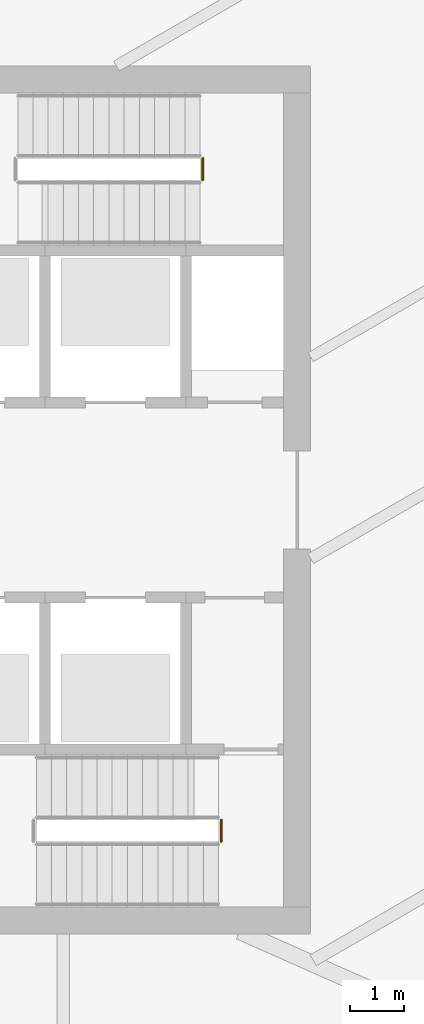
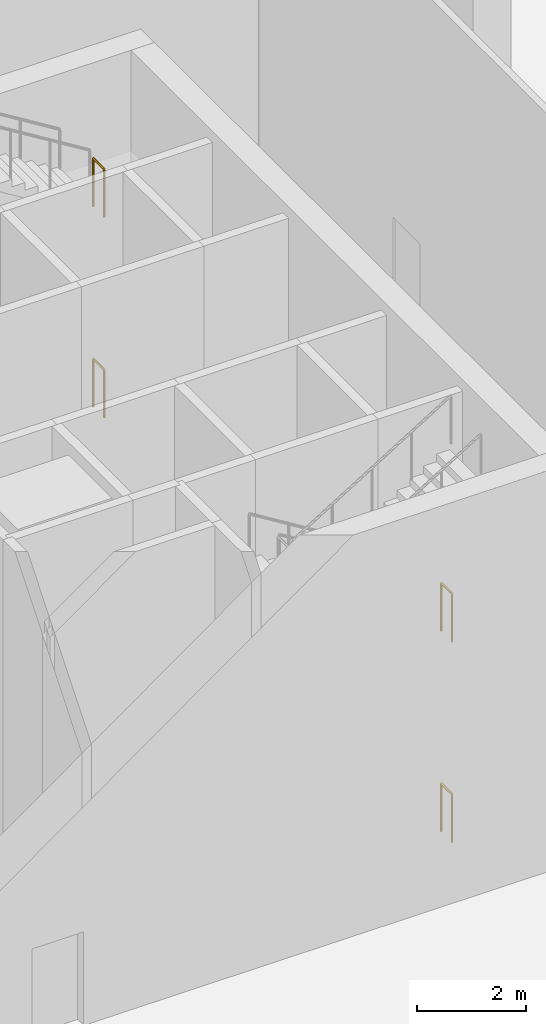
# One storey, part 27 of 29: 4 railings.
"""IFC4 building model written with IfcOpenShell, lengths in metres."""

from ifc_helpers import new_model, si_unit, direction, frame, origin, origin_2d, place, context, subcontext, project, spatial, circle, extrude, material, type_object, element, save


model = new_model("IFC4")

# Units and contexts
model_context = context("Model", 3, precision=1e-05, world=origin(), true_north=direction((0.0, 1.0)))
body_context = subcontext(model_context, "Body", "Model", "MODEL_VIEW")
ifc_project = project(units=[si_unit("LENGTHUNIT", "METRE"), si_unit("AREAUNIT", "SQUARE_METRE"), si_unit("VOLUMEUNIT", "CUBIC_METRE"), si_unit("PLANEANGLEUNIT", "RADIAN"), si_unit("MASSUNIT", "GRAM", prefix="KILO")], contexts=[model_context])

# Site, building, storey
site_placement = place(None, origin())
site = spatial("IfcSite", under=ifc_project, at=site_placement, CompositionType="ELEMENT")
building_placement = place(site_placement, origin())
building = spatial("IfcBuilding", under=site, at=building_placement, Name="Sierra Prisma Convention Tower", CompositionType="ELEMENT")
storey_placement = place(building_placement, origin())
storey = spatial("IfcBuildingStorey", under=building, at=storey_placement, Name="L00", CompositionType="ELEMENT", Elevation=0.0)

# Railings
ifc_material = material(Name="Stainless steel", Category="steel")
railing_type = type_object("IfcRailingType", Name="Stair guard 1100", PredefinedType="GUARDRAIL", material=ifc_material)
for number, where, name in (
    (1, (9.35009765625, -5.89990234375, 4.5), "L00 S2 stair guard 4"),
    (2, (9.35009765625, -5.89990234375, 0.0), "L00 S2 stair guard 8"),
):
    element("IfcRailing", number, at=place(storey_placement, frame(where)), inside=storey, type_object=railing_type, Name=name, PredefinedType="GUARDRAIL", context=body_context, shape_type="SweptSolid", body=[
        extrude(circle(Radius=0.02392578125, at=origin_2d()), frame((0.0, 0.0, 1.076171875), z_axis=(0.0, -1.0, 0.0), x_axis=(1.0, 0.0, 0.0)), (0.0, 0.0, 1.0), 0.400146484375),
        extrude(circle(Radius=0.02099609375, at=origin_2d()), origin(), (0.0, 0.0, 1.0), 1.052001953125),
        extrude(circle(Radius=0.02099609375, at=origin_2d()), frame((0.0, -0.400146484375, 0.0)), (0.0, 0.0, 1.0), 1.052001953125),
    ])
for number, where, name in (
    (3, (9.010009765625, 5.89990234375, 2.25), "L00 S4 stair guard 2"),
    (4, (9.010009765625, 5.89990234375, 6.75), "L00 S4 stair guard 6"),
):
    element("IfcRailing", number, at=place(storey_placement, frame(where)), inside=storey, type_object=railing_type, Name=name, PredefinedType="GUARDRAIL", context=body_context, shape_type="SweptSolid", body=[
        extrude(circle(Radius=0.02392578125, at=origin_2d()), frame((0.0, 0.0, 1.076171875), z_axis=(0.0, 1.0, 0.0), x_axis=(-1.0, 0.0, 0.0)), (0.0, 0.0, 1.0), 0.400146484375),
        extrude(circle(Radius=0.02099609375, at=origin_2d()), origin(), (0.0, 0.0, 1.0), 1.052001953125),
        extrude(circle(Radius=0.02099609375, at=origin_2d()), frame((0.0, 0.400146484375, 0.0)), (0.0, 0.0, 1.0), 1.052001953125),
    ])

save(model, "model.ifc")
